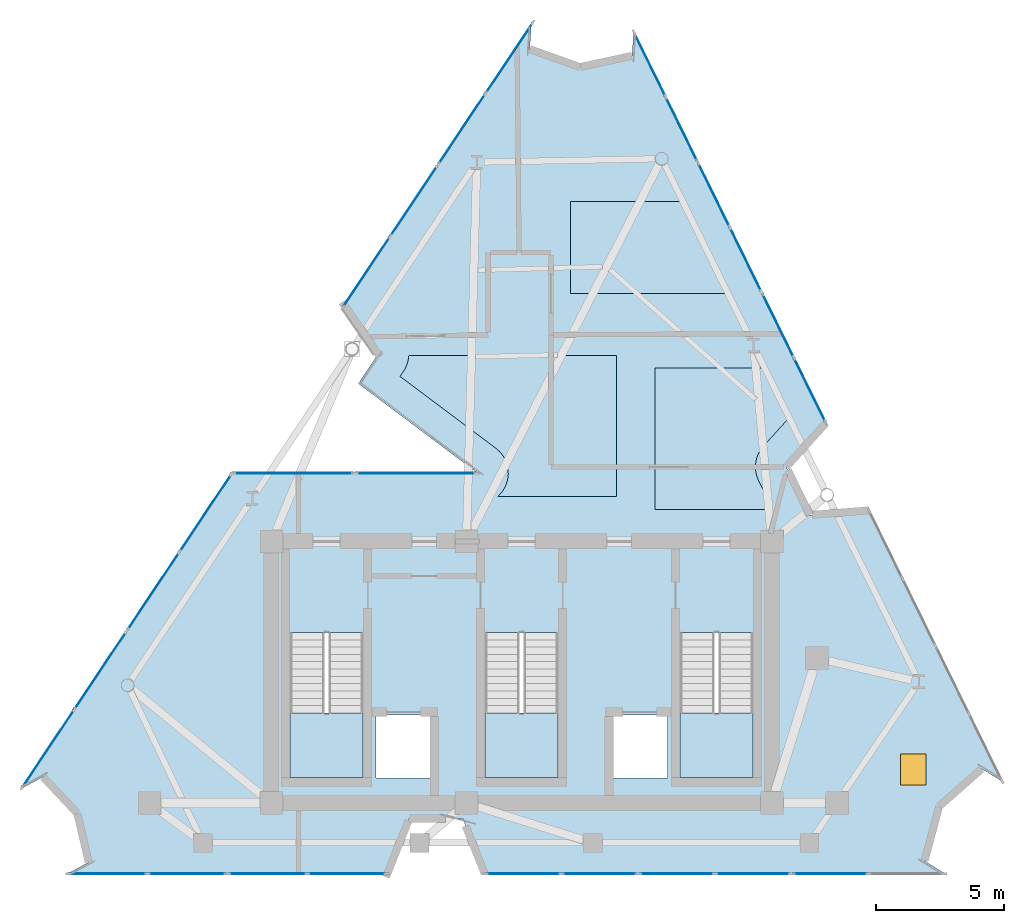
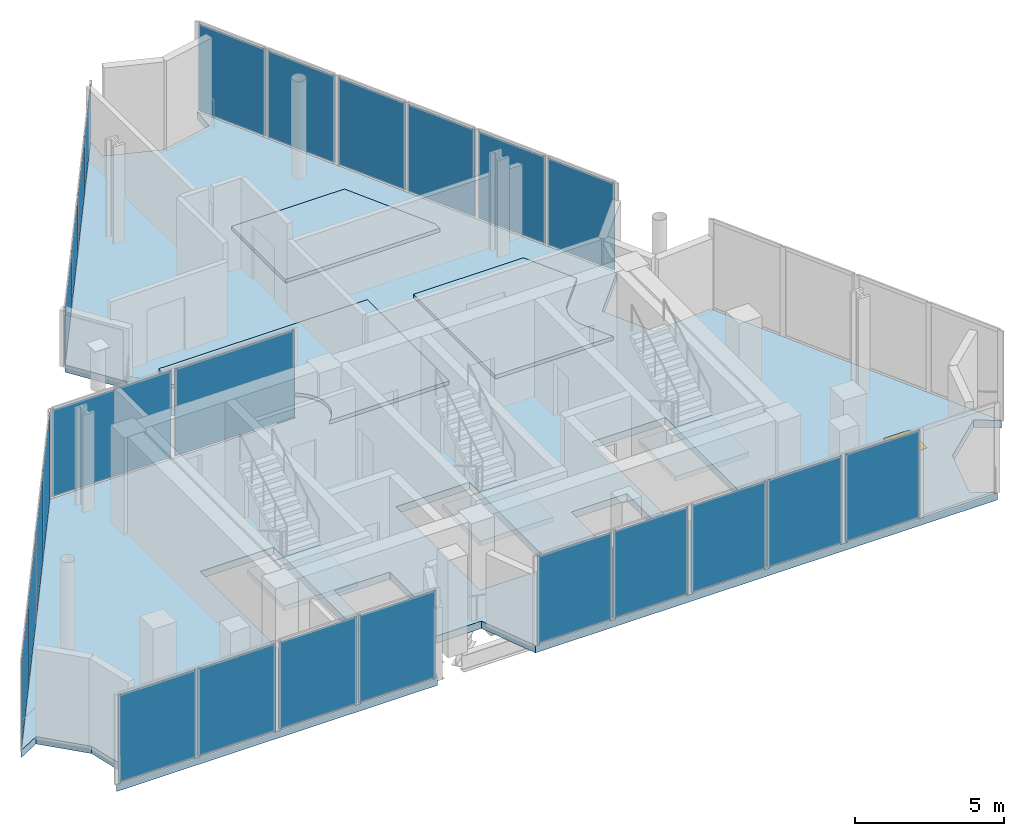
# One storey, part 5 of 9: 25 plates, 7 slabs, 1 door, 1 opening, 17 elements without a shape of their own.
"""IFC4 building model written with IfcOpenShell, lengths in metres."""

from ifc_helpers import new_model, si_unit, direction, frame, origin, origin_2d, place, context, subcontext, project, spatial, polyline, rectangle, outline, extrude, material, layer, layer_set, type_object, element, fill, aggregate, save


model = new_model("IFC4")

# Units and contexts
model_context = context("Model", 3, precision=1e-05, world=origin(), true_north=direction((0.0, 1.0)))
body_context = subcontext(model_context, "Body", "Model", "MODEL_VIEW")
ifc_project = project(units=[si_unit("LENGTHUNIT", "METRE"), si_unit("AREAUNIT", "SQUARE_METRE"), si_unit("VOLUMEUNIT", "CUBIC_METRE"), si_unit("PLANEANGLEUNIT", "RADIAN"), si_unit("MASSUNIT", "GRAM", prefix="KILO")], contexts=[model_context])

# Site, building, storey
site_placement = place(None, origin())
site = spatial("IfcSite", under=ifc_project, at=site_placement, CompositionType="ELEMENT")
building_placement = place(site_placement, origin())
building = spatial("IfcBuilding", under=site, at=building_placement, Name="Almagre Mirador Tower", CompositionType="ELEMENT")
storey_placement = place(building_placement, frame((0.0, 0.0, 314.5)))
storey = spatial("IfcBuildingStorey", under=building, at=storey_placement, Name="L81", CompositionType="ELEMENT", Elevation=314.5)

# Curtain wall, plates
ifc_material_1 = material(Name="Black anodized aluminium", Category="aluminium")
ifc_layer_1 = layer(ifc_material_1, 0.2099609375)
ifc_layer_set_1 = layer_set([ifc_layer_1], Name="Black anodized aluminium")
curtain_wall_type = type_object("IfcCurtainWallType", Name="CW-CRN-SYS", PredefinedType="NOTDEFINED", material=ifc_layer_set_1)
curtain_wall_1_placement = place(storey_placement, origin())
curtain_wall_1 = element("IfcCurtainWall", 1, at=curtain_wall_1_placement, inside=storey, type_object=curtain_wall_type, Name="L81 curtain wall run 01", PredefinedType="NOTDEFINED")
ifc_material_2 = material(Name="Dark solar-control laminated hurricane glass", Category="glass")
ifc_layer_2 = layer(ifc_material_2, 0.030029296875)
ifc_layer_set_2 = layer_set([ifc_layer_2], Name="Dark solar-control laminated hurricane glass")
plate_type = type_object("IfcPlateType", Name="PLT-SPN-30", PredefinedType="CURTAIN_PANEL", material=ifc_layer_set_2)
plate_1_placement = place(storey_placement, frame((18.85498046875, 6.67578125, 0.06494140625), z_axis=(0.0, 0.0, 1.0), x_axis=(0.555256805141, 0.831678952689, 0.0)))
plate_1 = element("IfcPlate", 2, at=plate_1_placement, type_object=plate_type, Name="CW-6 panel 1.1", PredefinedType="CURTAIN_PANEL", context=body_context, shape_type="SweptSolid", body=[
    extrude(rectangle(XDim=3.583984375, YDim=0.030029296875, at=origin_2d()), origin(), (0.0, 0.0, 1.0), 3.570068359375),
])
plate_2_placement = place(storey_placement, frame((20.884033203125, 9.71484375, 0.06494140625), z_axis=(0.0, 0.0, 1.0), x_axis=(0.555256805141, 0.831678952689, 0.0)))
plate_2 = element("IfcPlate", 3, at=plate_2_placement, type_object=plate_type, Name="CW-6 panel 2.1", PredefinedType="CURTAIN_PANEL", context=body_context, shape_type="SweptSolid", body=[
    extrude(rectangle(XDim=3.583984375, YDim=0.030029296875, at=origin_2d()), origin(), (0.0, 0.0, 1.0), 3.570068359375),
])
aggregate(curtain_wall_1, [plate_1, plate_2])

curtain_wall_2_placement = place(storey_placement, origin())
curtain_wall_2 = element("IfcCurtainWall", 4, at=curtain_wall_2_placement, inside=storey, type_object=curtain_wall_type, Name="L81 curtain wall run 02", PredefinedType="NOTDEFINED")
plate_3_placement = place(storey_placement, frame((22.951904296875, 12.81201171875, 0.06494140625), z_axis=(0.0, 0.0, 1.0), x_axis=(0.555247430261, 0.831685211597, 0.0)))
plate_3 = element("IfcPlate", 5, at=plate_3_placement, type_object=plate_type, Name="CW-6 panel 1.1", PredefinedType="CURTAIN_PANEL", context=body_context, shape_type="SweptSolid", body=[
    extrude(rectangle(XDim=3.583984375, YDim=0.030029296875, at=origin_2d()), origin(), (0.0, 0.0, 1.0), 3.570068359375),
])
plate_4_placement = place(storey_placement, frame((24.980712890625, 15.85107421875, 0.06494140625), z_axis=(0.0, 0.0, 1.0), x_axis=(0.555247430261, 0.831685211597, 0.0)))
plate_4 = element("IfcPlate", 6, at=plate_4_placement, type_object=plate_type, Name="CW-6 panel 2.1", PredefinedType="CURTAIN_PANEL", context=body_context, shape_type="SweptSolid", body=[
    extrude(rectangle(XDim=3.583984375, YDim=0.030029296875, at=origin_2d()), origin(), (0.0, 0.0, 1.0), 3.570068359375),
])
aggregate(curtain_wall_2, [plate_3, plate_4])

# Curtain wall, plate
curtain_wall_3_placement = place(storey_placement, origin())
curtain_wall_3 = element("IfcCurtainWall", 7, at=curtain_wall_3_placement, inside=storey, type_object=curtain_wall_type, Name="L81 curtain wall run 03", PredefinedType="NOTDEFINED")
plate_5_placement = place(storey_placement, frame((28.40380859375, 17.39990234375, 0.06494140625), z_axis=(0.0, 0.0, 1.0), x_axis=(1.0, 0.0, 0.0)))
plate_5 = element("IfcPlate", 8, at=plate_5_placement, type_object=plate_type, Name="CW-6 panel 1.1", PredefinedType="CURTAIN_PANEL", context=body_context, shape_type="SweptSolid", body=[
    extrude(rectangle(XDim=4.637451171875, YDim=0.030029296875, at=origin_2d()), origin(), (0.0, 0.0, 1.0), 3.570068359375),
])
aggregate(curtain_wall_3, [plate_5])

curtain_wall_4_placement = place(storey_placement, origin())
curtain_wall_4 = element("IfcCurtainWall", 9, at=curtain_wall_4_placement, inside=storey, type_object=curtain_wall_type, Name="L81 curtain wall run 04", PredefinedType="NOTDEFINED")
plate_6_placement = place(storey_placement, frame((33.18115234375, 17.39990234375, 0.06494140625), z_axis=(0.0, 0.0, 1.0), x_axis=(1.0, 0.0, 0.0)))
plate_6 = element("IfcPlate", 10, at=plate_6_placement, type_object=plate_type, Name="CW-6 panel 1.1", PredefinedType="CURTAIN_PANEL", context=body_context, shape_type="SweptSolid", body=[
    extrude(rectangle(XDim=4.637451171875, YDim=0.030029296875, at=origin_2d()), origin(), (0.0, 0.0, 1.0), 3.570068359375),
])
aggregate(curtain_wall_4, [plate_6])

# Curtain wall, plates
curtain_wall_5_placement = place(storey_placement, origin())
curtain_wall_5 = element("IfcCurtainWall", 11, at=curtain_wall_5_placement, inside=storey, type_object=curtain_wall_type, Name="L81 curtain wall run 05", PredefinedType="NOTDEFINED")
plate_7_placement = place(storey_placement, frame((31.256103515625, 25.25146484375, 0.06494140625), z_axis=(0.0, 0.0, 1.0), x_axis=(0.555213270328, 0.831708016345, 0.0)))
plate_7 = element("IfcPlate", 12, at=plate_7_placement, type_object=plate_type, Name="CW-6 panel 1.1", PredefinedType="CURTAIN_PANEL", context=body_context, shape_type="SweptSolid", body=[
    extrude(rectangle(XDim=3.2451171875, YDim=0.030029296875, at=origin_2d()), origin(), (0.0, 0.0, 1.0), 2.25),
])
plate_8_placement = place(storey_placement, frame((33.0966796875, 28.0087890625, 0.06494140625), z_axis=(0.0, 0.0, 1.0), x_axis=(0.555213270328, 0.831708016345, 0.0)))
plate_8 = element("IfcPlate", 13, at=plate_8_placement, type_object=plate_type, Name="CW-6 panel 2.1", PredefinedType="CURTAIN_PANEL", context=body_context, shape_type="SweptSolid", body=[
    extrude(rectangle(XDim=3.2451171875, YDim=0.030029296875, at=origin_2d()), origin(), (0.0, 0.0, 1.0), 2.25),
])
aggregate(curtain_wall_5, [plate_7, plate_8])

curtain_wall_6_placement = place(storey_placement, origin())
curtain_wall_6 = element("IfcCurtainWall", 14, at=curtain_wall_6_placement, inside=storey, type_object=curtain_wall_type, Name="L81 curtain wall run 06", PredefinedType="NOTDEFINED")
plate_9_placement = place(storey_placement, frame((34.976318359375, 30.82421875, 0.06494140625), z_axis=(0.0, 0.0, 1.0), x_axis=(0.555213270328, 0.831708016345, 0.0)))
plate_9 = element("IfcPlate", 15, at=plate_9_placement, type_object=plate_type, Name="CW-6 panel 1.1", PredefinedType="CURTAIN_PANEL", context=body_context, shape_type="SweptSolid", body=[
    extrude(rectangle(XDim=3.2451171875, YDim=0.030029296875, at=origin_2d()), origin(), (0.0, 0.0, 1.0), 2.25),
])
plate_10_placement = place(storey_placement, frame((36.81689453125, 33.58154296875, 0.06494140625), z_axis=(0.0, 0.0, 1.0), x_axis=(0.555213270328, 0.831708016345, 0.0)))
plate_10 = element("IfcPlate", 16, at=plate_10_placement, type_object=plate_type, Name="CW-6 panel 2.1", PredefinedType="CURTAIN_PANEL", context=body_context, shape_type="SweptSolid", body=[
    extrude(rectangle(XDim=3.2451171875, YDim=0.030029296875, at=origin_2d()), origin(), (0.0, 0.0, 1.0), 2.25),
])
aggregate(curtain_wall_6, [plate_9, plate_10])

curtain_wall_7_placement = place(storey_placement, origin())
curtain_wall_7 = element("IfcCurtainWall", 17, at=curtain_wall_7_placement, inside=storey, type_object=curtain_wall_type, Name="L81 curtain wall run 07", PredefinedType="NOTDEFINED")
plate_11_placement = place(storey_placement, frame((42.29736328125, 33.32470703125, 0.06494140625), z_axis=(0.0, 0.0, 1.0), x_axis=(0.441269764601, -0.897374500891, 0.0)))
plate_11 = element("IfcPlate", 18, at=plate_11_placement, type_object=plate_type, Name="CW-6 panel 1.1", PredefinedType="CURTAIN_PANEL", context=body_context, shape_type="SweptSolid", body=[
    extrude(rectangle(XDim=2.72607421875, YDim=0.030029296875, at=origin_2d()), origin(), (0.0, 0.0, 1.0), 3.570068359375),
])
plate_12_placement = place(storey_placement, frame((43.53125, 30.815673828125, 0.06494140625), z_axis=(0.0, 0.0, 1.0), x_axis=(0.441269764601, -0.897374500891, 0.0)))
plate_12 = element("IfcPlate", 19, at=plate_12_placement, type_object=plate_type, Name="CW-6 panel 2.1", PredefinedType="CURTAIN_PANEL", context=body_context, shape_type="SweptSolid", body=[
    extrude(rectangle(XDim=2.72607421875, YDim=0.030029296875, at=origin_2d()), origin(), (0.0, 0.0, 1.0), 3.570068359375),
])
aggregate(curtain_wall_7, [plate_11, plate_12])

curtain_wall_8_placement = place(storey_placement, origin())
curtain_wall_8 = element("IfcCurtainWall", 20, at=curtain_wall_8_placement, inside=storey, type_object=curtain_wall_type, Name="L81 curtain wall run 08", PredefinedType="NOTDEFINED")
plate_13_placement = place(storey_placement, frame((44.796142578125, 28.24365234375, 0.06494140625), z_axis=(0.0, 0.0, 1.0), x_axis=(0.441269764601, -0.897374500891, 0.0)))
plate_13 = element("IfcPlate", 21, at=plate_13_placement, type_object=plate_type, Name="CW-6 panel 1.1", PredefinedType="CURTAIN_PANEL", context=body_context, shape_type="SweptSolid", body=[
    extrude(rectangle(XDim=2.72607421875, YDim=0.030029296875, at=origin_2d()), origin(), (0.0, 0.0, 1.0), 3.570068359375),
])
plate_14_placement = place(storey_placement, frame((46.030029296875, 25.734375, 0.06494140625), z_axis=(0.0, 0.0, 1.0), x_axis=(0.441269764601, -0.897374500891, 0.0)))
plate_14 = element("IfcPlate", 22, at=plate_14_placement, type_object=plate_type, Name="CW-6 panel 2.1", PredefinedType="CURTAIN_PANEL", context=body_context, shape_type="SweptSolid", body=[
    extrude(rectangle(XDim=2.72607421875, YDim=0.030029296875, at=origin_2d()), origin(), (0.0, 0.0, 1.0), 3.570068359375),
])
aggregate(curtain_wall_8, [plate_13, plate_14])

curtain_wall_9_placement = place(storey_placement, origin())
curtain_wall_9 = element("IfcCurtainWall", 23, at=curtain_wall_9_placement, inside=storey, type_object=curtain_wall_type, Name="L81 curtain wall run 09", PredefinedType="NOTDEFINED")
plate_15_placement = place(storey_placement, frame((47.294677734375, 23.162353515625, 0.06494140625), z_axis=(0.0, 0.0, 1.0), x_axis=(0.441269764601, -0.897374500891, 0.0)))
plate_15 = element("IfcPlate", 24, at=plate_15_placement, type_object=plate_type, Name="CW-6 panel 1.1", PredefinedType="CURTAIN_PANEL", context=body_context, shape_type="SweptSolid", body=[
    extrude(rectangle(XDim=2.72607421875, YDim=0.030029296875, at=origin_2d()), origin(), (0.0, 0.0, 1.0), 3.570068359375),
])
plate_16_placement = place(storey_placement, frame((48.528564453125, 20.6533203125, 0.06494140625), z_axis=(0.0, 0.0, 1.0), x_axis=(0.441269764601, -0.897374500891, 0.0)))
plate_16 = element("IfcPlate", 25, at=plate_16_placement, type_object=plate_type, Name="CW-6 panel 2.1", PredefinedType="CURTAIN_PANEL", context=body_context, shape_type="SweptSolid", body=[
    extrude(rectangle(XDim=2.72607421875, YDim=0.030029296875, at=origin_2d()), origin(), (0.0, 0.0, 1.0), 3.570068359375),
])
aggregate(curtain_wall_9, [plate_15, plate_16])

# Curtain wall, plate
curtain_wall_10_placement = place(storey_placement, origin())
curtain_wall_10 = element("IfcCurtainWall", 26, at=curtain_wall_10_placement, inside=storey, type_object=curtain_wall_type, Name="L81 curtain wall run 12", PredefinedType="NOTDEFINED")
plate_17_placement = place(storey_placement, frame((49.33349609375, 1.800048828125, 0.06494140625), z_axis=(0.0, 0.0, 1.0), x_axis=(-1.0, 0.0, 0.0)))
plate_17 = element("IfcPlate", 27, at=plate_17_placement, type_object=plate_type, Name="CW-6 panel 2.1", PredefinedType="CURTAIN_PANEL", context=body_context, shape_type="SweptSolid", body=[
    extrude(rectangle(XDim=2.88427734375, YDim=0.030029296875, at=origin_2d()), origin(), (0.0, 0.0, 1.0), 3.570068359375),
])
aggregate(curtain_wall_10, [plate_17])

# Curtain wall, plates
curtain_wall_11_placement = place(storey_placement, origin())
curtain_wall_11 = element("IfcCurtainWall", 28, at=curtain_wall_11_placement, inside=storey, type_object=curtain_wall_type, Name="L81 curtain wall run 13", PredefinedType="NOTDEFINED")
plate_18_placement = place(storey_placement, frame((46.30908203125, 1.800048828125, 0.06494140625), z_axis=(0.0, 0.0, 1.0), x_axis=(-1.0, 0.0, 0.0)))
plate_18 = element("IfcPlate", 29, at=plate_18_placement, type_object=plate_type, Name="CW-6 panel 1.1", PredefinedType="CURTAIN_PANEL", context=body_context, shape_type="SweptSolid", body=[
    extrude(rectangle(XDim=2.88427734375, YDim=0.030029296875, at=origin_2d()), origin(), (0.0, 0.0, 1.0), 3.570068359375),
])
plate_19_placement = place(storey_placement, frame((43.354736328125, 1.800048828125, 0.06494140625), z_axis=(0.0, 0.0, 1.0), x_axis=(-1.0, 0.0, 0.0)))
plate_19 = element("IfcPlate", 30, at=plate_19_placement, type_object=plate_type, Name="CW-6 panel 2.1", PredefinedType="CURTAIN_PANEL", context=body_context, shape_type="SweptSolid", body=[
    extrude(rectangle(XDim=2.88427734375, YDim=0.030029296875, at=origin_2d()), origin(), (0.0, 0.0, 1.0), 3.570068359375),
])
aggregate(curtain_wall_11, [plate_18, plate_19])

curtain_wall_12_placement = place(storey_placement, origin())
curtain_wall_12 = element("IfcCurtainWall", 31, at=curtain_wall_12_placement, inside=storey, type_object=curtain_wall_type, Name="L81 curtain wall run 14", PredefinedType="NOTDEFINED")
plate_20_placement = place(storey_placement, frame((40.33056640625, 1.800048828125, 0.06494140625), z_axis=(0.0, 0.0, 1.0), x_axis=(-1.0, 0.0, 0.0)))
plate_20 = element("IfcPlate", 32, at=plate_20_placement, type_object=plate_type, Name="CW-6 panel 1.1", PredefinedType="CURTAIN_PANEL", context=body_context, shape_type="SweptSolid", body=[
    extrude(rectangle(XDim=2.88427734375, YDim=0.030029296875, at=origin_2d()), origin(), (0.0, 0.0, 1.0), 3.570068359375),
])
plate_21_placement = place(storey_placement, frame((37.376220703125, 1.800048828125, 0.06494140625), z_axis=(0.0, 0.0, 1.0), x_axis=(-1.0, 0.0, 0.0)))
plate_21 = element("IfcPlate", 33, at=plate_21_placement, type_object=plate_type, Name="CW-6 panel 2.1", PredefinedType="CURTAIN_PANEL", context=body_context, shape_type="SweptSolid", body=[
    extrude(rectangle(XDim=2.88427734375, YDim=0.030029296875, at=origin_2d()), origin(), (0.0, 0.0, 1.0), 3.570068359375),
])
aggregate(curtain_wall_12, [plate_20, plate_21])

curtain_wall_13_placement = place(storey_placement, origin())
curtain_wall_13 = element("IfcCurtainWall", 34, at=curtain_wall_13_placement, inside=storey, type_object=curtain_wall_type, Name="L81 curtain wall run 15", PredefinedType="NOTDEFINED")
plate_22_placement = place(storey_placement, frame((30.48828125, 1.800048828125, 0.06494140625), z_axis=(0.0, 0.0, 1.0), x_axis=(-1.0, 0.0, 0.0)))
plate_22 = element("IfcPlate", 35, at=plate_22_placement, type_object=plate_type, Name="CW-6 panel 1.1", PredefinedType="CURTAIN_PANEL", context=body_context, shape_type="SweptSolid", body=[
    extrude(rectangle(XDim=3.010986328125, YDim=0.030029296875, at=origin_2d()), origin(), (0.0, 0.0, 1.0), 3.570068359375),
])
plate_23_placement = place(storey_placement, frame((27.407470703125, 1.800048828125, 0.06494140625), z_axis=(0.0, 0.0, 1.0), x_axis=(-1.0, 0.0, 0.0)))
plate_23 = element("IfcPlate", 36, at=plate_23_placement, type_object=plate_type, Name="CW-6 panel 2.1", PredefinedType="CURTAIN_PANEL", context=body_context, shape_type="SweptSolid", body=[
    extrude(rectangle(XDim=3.010986328125, YDim=0.030029296875, at=origin_2d()), origin(), (0.0, 0.0, 1.0), 3.570068359375),
])
aggregate(curtain_wall_13, [plate_22, plate_23])

curtain_wall_14_placement = place(storey_placement, origin())
curtain_wall_14 = element("IfcCurtainWall", 37, at=curtain_wall_14_placement, inside=storey, type_object=curtain_wall_type, Name="L81 curtain wall run 16", PredefinedType="NOTDEFINED")
plate_24_placement = place(storey_placement, frame((24.256591796875, 1.800048828125, 0.06494140625), z_axis=(0.0, 0.0, 1.0), x_axis=(-1.0, 0.0, 0.0)))
plate_24 = element("IfcPlate", 38, at=plate_24_placement, type_object=plate_type, Name="CW-6 panel 1.1", PredefinedType="CURTAIN_PANEL", context=body_context, shape_type="SweptSolid", body=[
    extrude(rectangle(XDim=3.010986328125, YDim=0.030029296875, at=origin_2d()), origin(), (0.0, 0.0, 1.0), 3.570068359375),
])
plate_25_placement = place(storey_placement, frame((21.175537109375, 1.800048828125, 0.06494140625), z_axis=(0.0, 0.0, 1.0), x_axis=(-1.0, 0.0, 0.0)))
plate_25 = element("IfcPlate", 39, at=plate_25_placement, type_object=plate_type, Name="CW-6 panel 2.1", PredefinedType="CURTAIN_PANEL", context=body_context, shape_type="SweptSolid", body=[
    extrude(rectangle(XDim=3.010986328125, YDim=0.030029296875, at=origin_2d()), origin(), (0.0, 0.0, 1.0), 3.570068359375),
])
aggregate(curtain_wall_14, [plate_24, plate_25])

# Slab, opening, door
ifc_material_3 = material(Name="Concrete C45/55", Category="concrete")
ifc_layer_3 = layer(ifc_material_3, 0.300048828125)
ifc_layer_set_3 = layer_set([ifc_layer_3], Name="Concrete C45/55")
slab_type_1 = type_object("IfcSlabType", Name="SLB-FLR-300", PredefinedType="FLOOR", material=ifc_layer_set_3)
slab_1_placement = place(storey_placement, frame((0.0, 0.0, -0.300048828125)))
slab_1 = element("IfcSlab", 40, at=slab_1_placement, inside=storey, type_object=slab_type_1, Name="L81 structural floor slab", PredefinedType="FLOOR", context=body_context, shape_type="SweptSolid", body=[
    extrude(outline(polyline([(17.8212890625, 5.127197265625), (18.647216796875, 5.568359375), (18.648193359375, 5.56884765625), (18.649169921875, 5.569091796875), (18.650146484375, 5.5693359375), (18.651123046875, 5.569580078125), (18.652099609375, 5.569580078125), (18.653076171875, 5.569580078125), (18.654052734375, 5.5693359375), (18.655029296875, 5.569091796875), (18.656005859375, 5.568603515625), (18.656982421875, 5.568359375), (18.65771484375, 5.567626953125), (18.658447265625, 5.567138671875), (18.6591796875, 5.56640625), (19.9892578125, 4.14990234375), (19.98974609375, 4.149169921875), (19.990478515625, 4.148193359375), (19.990966796875, 4.1474609375), (19.9912109375, 4.146484375), (19.99169921875, 4.1455078125), (20.431396484375, 2.25341796875), (20.431396484375, 2.25244140625), (20.431396484375, 2.25146484375), (20.431396484375, 2.25048828125), (20.431396484375, 2.24951171875), (20.43115234375, 2.24853515625), (20.430908203125, 2.24755859375), (20.430419921875, 2.24658203125), (20.429931640625, 2.245849609375), (20.42919921875, 2.244873046875), (20.4287109375, 2.244140625), (20.427978515625, 2.243408203125), (20.427001953125, 2.242919921875), (20.42626953125, 2.242431640625), (19.60009765625, 1.800048828125), (19.60009765625, 1.800048828125), (19.60009765625, 1.800048828125), (32.063720703125, 1.800048828125), (32.06396484375, 1.800048828125), (32.064208984375, 1.80029296875), (32.91650390625, 3.943603515625), (32.9169921875, 3.944580078125), (32.91748046875, 3.945556640625), (32.91796875, 3.9462890625), (32.918701171875, 3.947021484375), (32.91943359375, 3.94775390625), (32.920166015625, 3.9482421875), (32.9208984375, 3.94873046875), (32.921875, 3.94921875), (32.9228515625, 3.94970703125), (32.923828125, 3.94970703125), (32.9248046875, 3.949951171875), (32.92578125, 3.949951171875), (35.002197265625, 3.949951171875), (35.003173828125, 3.949951171875), (35.004150390625, 3.94970703125), (35.005126953125, 3.94970703125), (35.006103515625, 3.94921875), (35.007080078125, 3.94873046875), (35.0078125, 3.9482421875), (35.008544921875, 3.94775390625), (35.009521484375, 3.947021484375), (35.010009765625, 3.9462890625), (35.010498046875, 3.945556640625), (35.010986328125, 3.944580078125), (35.011474609375, 3.943603515625), (35.864013671875, 1.80029296875), (35.864013671875, 1.800048828125), (35.8642578125, 1.800048828125), (53.7998046875, 1.800048828125), (53.800048828125, 1.800048828125), (53.7998046875, 1.800048828125), (53.00439453125, 2.295166015625), (53.00341796875, 2.295654296875), (53.002685546875, 2.29638671875), (53.002197265625, 2.297119140625), (53.00146484375, 2.297607421875), (53.0009765625, 2.298583984375), (53.00048828125, 2.29931640625), (53.0, 2.30029296875), (52.999755859375, 2.30126953125), (52.999755859375, 2.30224609375), (52.99951171875, 2.30322265625), (52.99951171875, 2.30419921875), (52.999755859375, 2.30517578125), (53.0, 2.30615234375), (53.5712890625, 4.42919921875), (53.571533203125, 4.429931640625), (53.572021484375, 4.430908203125), (53.572509765625, 4.431884765625), (53.572998046875, 4.4326171875), (53.573486328125, 4.433349609375), (53.57421875, 4.43408203125), (55.227294921875, 5.884033203125), (55.228271484375, 5.884765625), (55.22900390625, 5.88525390625), (55.22998046875, 5.8857421875), (55.230712890625, 5.885986328125), (55.231689453125, 5.88623046875), (55.232666015625, 5.886474609375), (55.233642578125, 5.88671875), (55.234619140625, 5.88671875), (55.235595703125, 5.886474609375), (55.236572265625, 5.88623046875), (55.237548828125, 5.885986328125), (55.23828125, 5.885498046875), (55.2392578125, 5.885009765625), (56.034912109375, 5.38916015625), (56.034912109375, 5.388916015625), (56.034912109375, 5.38916015625), (50.838134765625, 15.956787109375), (50.837890625, 15.95703125), (50.837890625, 15.95703125), (48.537841796875, 15.776611328125), (48.536865234375, 15.776611328125), (48.535888671875, 15.776611328125), (48.534912109375, 15.776611328125), (48.53369140625, 15.777099609375), (48.532958984375, 15.77734375), (48.531982421875, 15.77783203125), (48.53125, 15.7783203125), (48.530517578125, 15.779052734375), (48.52978515625, 15.779541015625), (48.529052734375, 15.780517578125), (48.528564453125, 15.78125), (48.528076171875, 15.781982421875), (47.732421875, 17.39990234375), (47.612060546875, 17.64501953125), (47.611572265625, 17.645751953125), (47.611328125, 17.646728515625), (47.611083984375, 17.647705078125), (47.611083984375, 17.648681640625), (47.611083984375, 17.649658203125), (47.611083984375, 17.650634765625), (47.611328125, 17.651611328125), (47.611572265625, 17.652587890625), (47.61181640625, 17.653564453125), (47.6123046875, 17.654296875), (47.61279296875, 17.6552734375), (47.613525390625, 17.656005859375), (49.160888671875, 19.36669921875), (49.160888671875, 19.366943359375), (49.160888671875, 19.3671875), (41.6650390625, 34.61083984375), (41.6650390625, 34.611083984375), (41.6650390625, 34.61083984375), (41.603515625, 33.675537109375), (41.603515625, 33.674560546875), (41.603271484375, 33.673583984375), (41.602783203125, 33.672607421875), (41.6025390625, 33.671630859375), (41.60205078125, 33.6708984375), (41.601318359375, 33.669921875), (41.600830078125, 33.669189453125), (41.60009765625, 33.668701171875), (41.59912109375, 33.66796875), (41.598388671875, 33.66748046875), (41.597412109375, 33.6669921875), (41.5966796875, 33.666748046875), (41.595703125, 33.66650390625), (39.57568359375, 33.231689453125), (39.574951171875, 33.2314453125), (39.573974609375, 33.2314453125), (39.572998046875, 33.2314453125), (39.572021484375, 33.2314453125), (39.5712890625, 33.231689453125), (39.5703125, 33.23193359375), (37.6240234375, 33.927490234375), (37.623291015625, 33.927734375), (37.622314453125, 33.92822265625), (37.62158203125, 33.928955078125), (37.62060546875, 33.929443359375), (37.6201171875, 33.93017578125), (37.619384765625, 33.930908203125), (37.618896484375, 33.931884765625), (37.618408203125, 33.9326171875), (37.617919921875, 33.93359375), (37.61767578125, 33.9345703125), (37.61767578125, 33.935546875), (37.617431640625, 33.9365234375), (37.617431640625, 33.9375), (37.678955078125, 34.872802734375), (37.678955078125, 34.873046875), (37.678955078125, 34.872802734375), (30.39404296875, 23.960205078125), (30.39404296875, 23.9599609375), (30.39404296875, 23.959716796875), (31.703125, 22.060546875), (31.70361328125, 22.059814453125), (31.7041015625, 22.058837890625), (31.70458984375, 22.057861328125), (31.70458984375, 22.056884765625), (31.704833984375, 22.055908203125), (31.704833984375, 22.054931640625), (31.704833984375, 22.053955078125), (31.70458984375, 22.052978515625), (31.70458984375, 22.052001953125), (31.7041015625, 22.051025390625), (31.70361328125, 22.05029296875), (31.703125, 22.04931640625), (30.935302734375, 20.898681640625), (30.935302734375, 20.898681640625), (30.935302734375, 20.8984375), (35.575927734375, 17.41796875), (35.576904296875, 17.41748046875), (35.577392578125, 17.41650390625), (35.578125, 17.416015625), (35.57861328125, 17.4150390625), (35.5791015625, 17.4140625), (35.57958984375, 17.4130859375), (35.57958984375, 17.412353515625), (35.579833984375, 17.411376953125), (35.580078125, 17.410400390625), (35.580078125, 17.4091796875), (35.579833984375, 17.408203125), (35.57958984375, 17.4072265625), (35.579345703125, 17.406494140625), (35.578857421875, 17.405517578125), (35.578369140625, 17.404541015625), (35.577880859375, 17.40380859375), (35.5771484375, 17.403076171875), (35.576416015625, 17.40234375), (35.57568359375, 17.401611328125), (35.57470703125, 17.401123046875), (35.573974609375, 17.40087890625), (35.572998046875, 17.400390625), (35.572021484375, 17.400146484375), (35.571044921875, 17.39990234375), (35.570068359375, 17.39990234375), (26.014892578125, 17.39990234375), (26.014892578125, 17.39990234375), (26.0146484375, 17.39990234375), (17.821044921875, 5.127197265625), (17.821044921875, 5.126953125), (17.8212890625, 5.127197265625)]), holes=[polyline([(43.47509765625, 5.550048828125), (43.47509765625, 11.196044921875), (46.324951171875, 11.196044921875), (46.324951171875, 5.550048828125), (43.47509765625, 5.550048828125)]), polyline([(42.97998046875, 7.97998046875), (42.97998046875, 5.52001953125), (40.820068359375, 5.52001953125), (40.820068359375, 7.97998046875), (42.97998046875, 7.97998046875)]), polyline([(35.875, 5.550048828125), (35.875, 11.196044921875), (38.72509765625, 11.196044921875), (38.72509765625, 5.550048828125), (35.875, 5.550048828125)]), polyline([(33.780029296875, 7.97998046875), (33.780029296875, 5.52001953125), (31.6201171875, 5.52001953125), (31.6201171875, 7.97998046875), (33.780029296875, 7.97998046875)]), polyline([(31.125, 5.550048828125), (28.27490234375, 5.550048828125), (28.27490234375, 11.196044921875), (31.125, 11.196044921875), (31.125, 5.550048828125)])]), origin(), (0.0, 0.0, 1.0), 0.300048828125),
])
opening_placement = place(slab_1_placement, frame((52.56103515625, 5.85595703125, 0.0)))
opening = element("IfcOpeningElement", 41, at=opening_placement, cuts=slab_1, Name="Opening RH-01", PredefinedType="OPENING", context=body_context, shape_type="SweptSolid", body=[
    extrude(rectangle(XDim=1.0, YDim=1.199951171875, at=origin_2d()), origin(), (0.0, 0.0, 1.0), 0.300048828125),
])
ifc_material_4 = material(Name="Insulated aluminium roof hatch", Category="aluminium")
door_type = type_object("IfcDoorType", Name="DOR-HAT-1000X1200", OperationType="SINGLE_SWING_LEFT", PredefinedType="TRAPDOOR", material=ifc_material_4)
door_placement = place(opening_placement, frame((0.0, 0.0, 0.25)))
door = element("IfcDoor", 42, at=door_placement, inside=storey, type_object=door_type, Name="DR-2368 L81 mechanical access hatch RH-05", OperationType="SINGLE_SWING_LEFT", OverallHeight=1.199951171875, OverallWidth=1.0, PredefinedType="TRAPDOOR", context=body_context, shape_type="SweptSolid", body=[
    extrude(rectangle(XDim=1.0, YDim=1.199951171875, at=origin_2d()), origin(), (0.0, 0.0, 1.0), 0.050048828125),
])
fill(opening, door)

# Stair, slab
ifc_material_5 = material(Name="Concrete C45/55", Category="concrete")
stair_type = type_object("IfcStairType", Name="STR-DL-4000", PredefinedType="HALF_TURN_STAIR", material=ifc_material_5)
stair_1_placement = place(storey_placement, origin())
stair_1 = element("IfcStair", 43, at=stair_1_placement, inside=storey, type_object=stair_type, Name="L81 Protected exit stair ST-1", PredefinedType="HALF_TURN_STAIR")
ifc_material_6 = material(Name="Concrete C45/55", Category="concrete")
ifc_layer_4 = layer(ifc_material_6, 0.199951171875)
ifc_layer_set_4 = layer_set([ifc_layer_4], Name="Concrete C45/55")
slab_type_2 = type_object("IfcSlabType", Name="SLB-LND-200", PredefinedType="LANDING", material=ifc_layer_set_4)
slab_2_placement = place(storey_placement, frame((0.0, 0.0, 1.800048828125)))
slab_2 = element("IfcSlab", 44, at=slab_2_placement, type_object=slab_type_2, Name="ST-1 landing 1", PredefinedType="LANDING", context=body_context, shape_type="SweptSolid", body=[
    extrude(outline(polyline([(28.27490234375, 8.06494140625), (28.27490234375, 5.550048828125), (31.125, 5.550048828125), (31.125, 8.06494140625), (28.27490234375, 8.06494140625)])), origin(), (0.0, 0.0, 1.0), 0.199951171875),
])
aggregate(stair_1, [slab_2])

stair_2_placement = place(storey_placement, origin())
stair_2 = element("IfcStair", 45, at=stair_2_placement, inside=storey, type_object=stair_type, Name="L81 Protected exit stair ST-2", PredefinedType="HALF_TURN_STAIR")
slab_3_placement = place(storey_placement, frame((0.0, 0.0, 1.800048828125)))
slab_3 = element("IfcSlab", 46, at=slab_3_placement, type_object=slab_type_2, Name="ST-2 landing 1", PredefinedType="LANDING", context=body_context, shape_type="SweptSolid", body=[
    extrude(outline(polyline([(35.875, 8.06494140625), (35.875, 5.550048828125), (38.72509765625, 5.550048828125), (38.72509765625, 8.06494140625), (35.875, 8.06494140625)])), origin(), (0.0, 0.0, 1.0), 0.199951171875),
])
aggregate(stair_2, [slab_3])

stair_3_placement = place(storey_placement, origin())
stair_3 = element("IfcStair", 47, at=stair_3_placement, inside=storey, type_object=stair_type, Name="L81 Protected exit stair ST-3", PredefinedType="HALF_TURN_STAIR")
slab_4_placement = place(storey_placement, frame((0.0, 0.0, 1.800048828125)))
slab_4 = element("IfcSlab", 48, at=slab_4_placement, type_object=slab_type_2, Name="ST-3 landing 1", PredefinedType="LANDING", context=body_context, shape_type="SweptSolid", body=[
    extrude(outline(polyline([(43.47509765625, 8.06494140625), (43.47509765625, 5.550048828125), (46.324951171875, 5.550048828125), (46.324951171875, 8.06494140625), (43.47509765625, 8.06494140625)])), origin(), (0.0, 0.0, 1.0), 0.199951171875),
])
aggregate(stair_3, [slab_4])

# Slabs
ifc_material_7 = material(Name="Concrete C45/55", Category="concrete")
ifc_layer_5 = layer(ifc_material_7, 0.14990234375)
ifc_layer_set_5 = layer_set([ifc_layer_5], Name="Concrete C45/55")
slab_type_3 = type_object("IfcSlabType", Name="SLB-PLN-150", PredefinedType="FLOOR", material=ifc_layer_set_5)
slab_5_placement = place(storey_placement, origin())
element("IfcSlab", 49, at=slab_5_placement, inside=storey, type_object=slab_type_3, Name="L81 Cooling Tower Plant Plinth", PredefinedType="FLOOR", context=body_context, shape_type="SweptSolid", body=[
    extrude(outline(polyline([(47.08349609375, 16.0), (46.655517578125, 16.87060546875), (46.53515625, 17.115478515625), (46.51025390625, 17.16943359375), (46.509765625, 17.17041015625), (46.468017578125, 17.281982421875), (46.4677734375, 17.282958984375), (46.437255859375, 17.398193359375), (46.43701171875, 17.399169921875), (46.418212890625, 17.516845703125), (46.418212890625, 17.517822265625), (46.410888671875, 17.63671875), (46.410888671875, 17.6376953125), (46.415771484375, 17.7568359375), (46.416015625, 17.7578125), (46.432373046875, 17.8759765625), (46.4326171875, 17.876953125), (46.460693359375, 17.99267578125), (46.4609375, 17.99365234375), (46.50048828125, 18.106201171875), (46.5009765625, 18.10693359375), (46.55126953125, 18.215087890625), (46.5517578125, 18.2158203125), (46.61279296875, 18.318359375), (46.61328125, 18.319091796875), (46.68408203125, 18.4150390625), (46.684814453125, 18.415771484375), (46.723388671875, 18.4609375), (47.724853515625, 19.568115234375), (46.77490234375, 21.5), (42.5, 21.5), (42.5, 16.0), (47.08349609375, 16.0)])), origin(), (0.0, 0.0, 1.0), 0.14990234375),
])
slab_6_placement = place(storey_placement, origin())
element("IfcSlab", 50, at=slab_6_placement, inside=storey, type_object=slab_type_3, Name="L81 Air Handling Unit Plant Plinth", PredefinedType="FLOOR", context=body_context, shape_type="SweptSolid", body=[
    extrude(outline(polyline([(32.903564453125, 22.0), (32.892822265625, 21.884765625), (32.892578125, 21.8837890625), (32.8701171875, 21.766845703125), (32.869873046875, 21.765869140625), (32.835693359375, 21.651611328125), (32.83544921875, 21.650634765625), (32.7900390625, 21.54052734375), (32.789794921875, 21.53955078125), (32.733642578125, 21.434326171875), (32.733154296875, 21.43359375), (32.701416015625, 21.38330078125), (32.56396484375, 21.177001953125), (36.2958984375, 18.3779296875), (36.343017578125, 18.3408203125), (36.34375, 18.340087890625), (36.431884765625, 18.259033203125), (36.4326171875, 18.25830078125), (36.512451171875, 18.1689453125), (36.51318359375, 18.168212890625), (36.58349609375, 18.071044921875), (36.583984375, 18.0703125), (36.644287109375, 17.966796875), (36.644775390625, 17.9658203125), (36.694580078125, 17.856689453125), (36.69482421875, 17.855712890625), (36.7333984375, 17.7421875), (36.733642578125, 17.7412109375), (36.7607421875, 17.62451171875), (36.760986328125, 17.62353515625), (36.7763671875, 17.504638671875), (36.7763671875, 17.503662109375), (36.77978515625, 17.3837890625), (36.77978515625, 17.3828125), (36.77099609375, 17.263427734375), (36.77099609375, 17.262451171875), (36.75048828125, 17.144287109375), (36.750244140625, 17.143310546875), (36.718017578125, 17.02783203125), (36.7177734375, 17.02685546875), (36.67431640625, 16.915283203125), (36.673828125, 16.914306640625), (36.619384765625, 16.8076171875), (36.618896484375, 16.806640625), (36.553955078125, 16.705810546875), (36.553466796875, 16.705078125), (36.47900390625, 16.611083984375), (36.478271484375, 16.610595703125), (36.39453125, 16.5244140625), (36.393798828125, 16.52392578125), (36.365478515625, 16.5), (41.0, 16.5), (41.0, 22.0), (32.903564453125, 22.0)])), origin(), (0.0, 0.0, 1.0), 0.14990234375),
])
slab_7_placement = place(storey_placement, origin())
element("IfcSlab", 51, at=slab_7_placement, inside=storey, type_object=slab_type_3, Name="L81 Domestic Booster Pump Plant Plinth", PredefinedType="FLOOR", context=body_context, shape_type="SweptSolid", body=[
    extrude(outline(polyline([(45.199951171875, 24.70263671875), (43.57861328125, 28.0), (39.199951171875, 28.0), (39.199951171875, 24.39990234375), (45.199951171875, 24.39990234375), (45.199951171875, 24.70263671875)])), origin(), (0.0, 0.0, 1.0), 0.14990234375),
])

save(model, "model.ifc")
